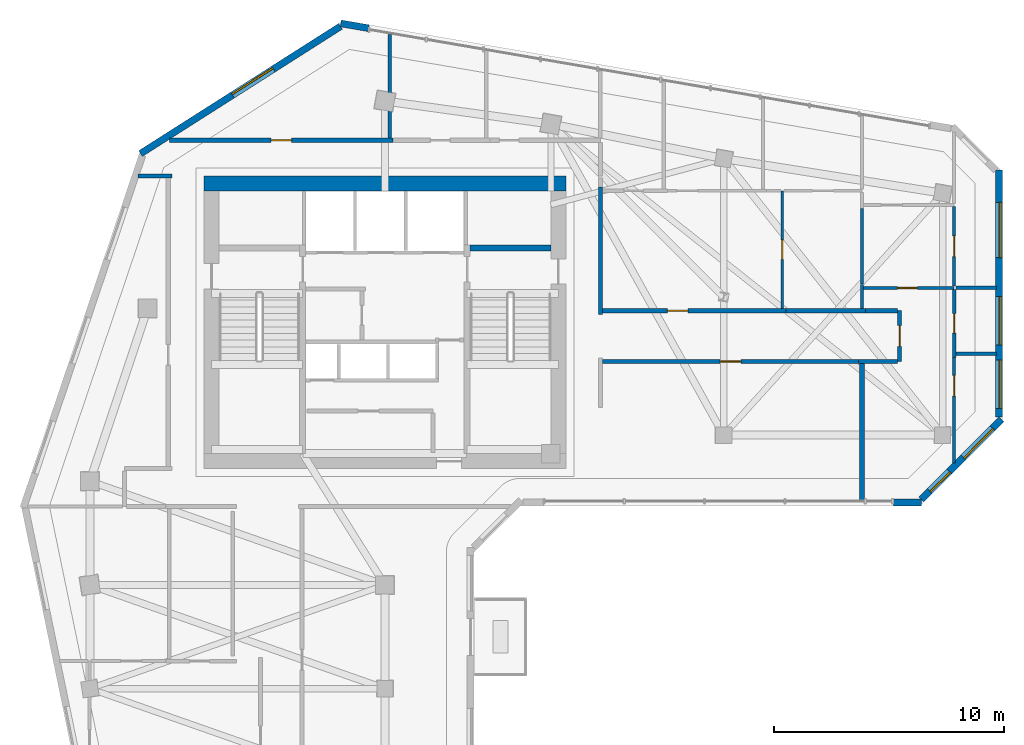
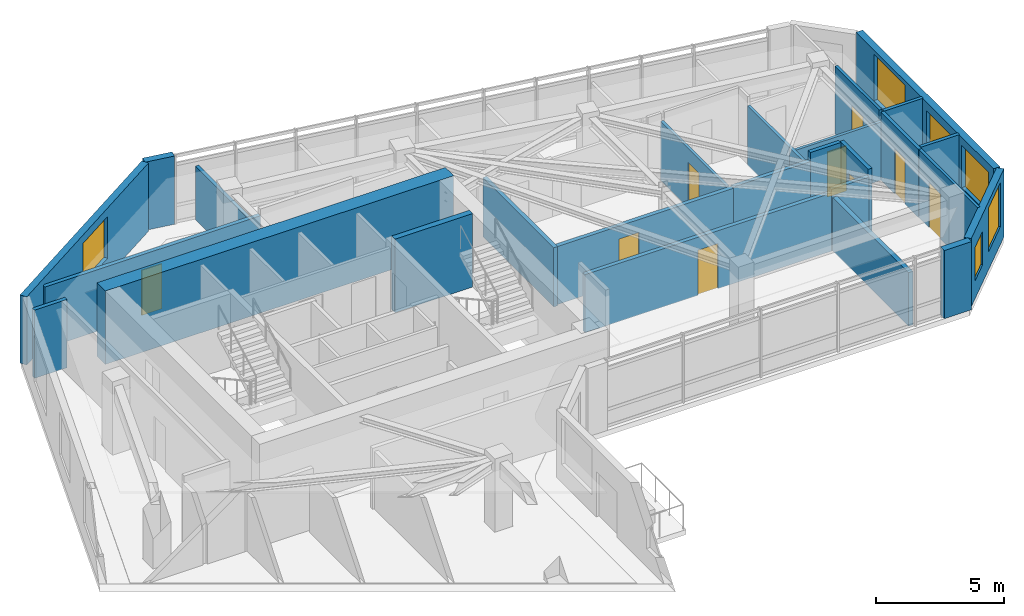
# One storey, part 6 of 10: 27 walls, 9 doors, 6 windows, 15 openings.
"""IFC4 building model written with IfcOpenShell, lengths in metres."""

from ifc_helpers import new_model, si_unit, direction, frame, frame_2d, origin, place, context, subcontext, project, spatial, rectangle, extrude, source, transform, mapped, material, layer, layer_set, type_object, element, fill, save


model = new_model("IFC4")

# Units and contexts
model_context = context("Model", 3, precision=1e-05, world=origin(), true_north=direction((0.0, 1.0)))
body_context = subcontext(model_context, "Body", "Model", "MODEL_VIEW")
ifc_project = project(units=[si_unit("LENGTHUNIT", "METRE"), si_unit("AREAUNIT", "SQUARE_METRE"), si_unit("VOLUMEUNIT", "CUBIC_METRE"), si_unit("PLANEANGLEUNIT", "RADIAN"), si_unit("MASSUNIT", "GRAM", prefix="KILO")], contexts=[model_context])

# Site, building, storey
site_placement = place(None, origin())
site = spatial("IfcSite", under=ifc_project, at=site_placement, CompositionType="ELEMENT")
building_placement = place(site_placement, origin())
building = spatial("IfcBuilding", under=site, at=building_placement, Name="Calvemar Wedge Station Tower", CompositionType="ELEMENT")
storey_placement = place(building_placement, frame((0.0, 0.0, 200.89990234375)))
storey = spatial("IfcBuildingStorey", under=building, at=storey_placement, Name="L50", CompositionType="ELEMENT", Elevation=200.89990234375)

# Walls
ifc_material_1 = material(Name="Concrete C50", Category="concrete")
ifc_layer_1 = layer(ifc_material_1, 0.260009765625)
ifc_layer_set_1 = layer_set([ifc_layer_1], Name="Concrete C50")
wall_type_1 = type_object("IfcWallType", Name="SW-CORE-260", PredefinedType="SHEAR", material=ifc_layer_set_1)
wall_1_placement = place(storey_placement, frame((27.5, 43.1298828125, 0.0), z_axis=(0.0, 0.0, 1.0), x_axis=(1.0, 0.0, 0.0)))
element("IfcWall", 1, at=wall_1_placement, inside=storey, type_object=wall_type_1, Name="Storey L50 Core Shear Wall STC2-N", PredefinedType="SHEAR", context=body_context, shape_type="SweptSolid", body=[
    extrude(rectangle(XDim=3.5, YDim=0.260009765625, at=frame_2d((1.75, 0.0))), origin(), (0.0, 0.0, 1.0), 3.5),
])
ifc_material_2 = material(Name="Concrete C60", Category="concrete")
ifc_layer_2 = layer(ifc_material_2, 0.64990234375)
ifc_layer_set_2 = layer_set([ifc_layer_2], Name="Concrete C60")
wall_type_2 = type_object("IfcWallType", Name="SW-CORE-650", PredefinedType="SHEAR", material=ifc_layer_set_2)
wall_2_placement = place(storey_placement, frame((15.949951171875, 45.925048828125, 0.0), z_axis=(0.0, 0.0, 1.0), x_axis=(1.0, 0.0, 0.0)))
element("IfcWall", 2, at=wall_2_placement, inside=storey, type_object=wall_type_2, Name="Storey L50 Core Shear Wall N", PredefinedType="SHEAR", context=body_context, shape_type="SweptSolid", body=[
    extrude(rectangle(XDim=15.699951171875, YDim=0.64990234375, at=frame_2d((7.85009765625, 0.0))), origin(), (0.0, 0.0, 1.0), 3.5),
])
ifc_material_3 = material(Name="Double-stud fire-rated corridor partition")
ifc_layer_3 = layer(ifc_material_3, 0.179931640625)
ifc_layer_set_3 = layer_set([ifc_layer_3], Name="Double-stud fire-rated corridor partition")
wall_type_3 = type_object("IfcWallType", Name="W-CORR-180", PredefinedType="PARTITIONING", material=ifc_layer_set_3)
wall_3_placement = place(storey_placement, frame((14.56005859375, 46.25, 0.0), z_axis=(0.0, 0.0, 1.0), x_axis=(-1.0, 0.0, 0.0)))
element("IfcWall", 3, at=wall_3_placement, inside=storey, type_object=wall_type_3, Name="Storey L50 Interior Partition WL-L50-012", PredefinedType="PARTITIONING", context=body_context, shape_type="SweptSolid", body=[
    extrude(rectangle(XDim=1.46875, YDim=0.179931640625, at=frame_2d((0.734375, 0.0))), origin(), (0.0, 0.0, 1.0), 3.25),
])

# Wall, opening, door
wall_4_placement = place(storey_placement, frame((14.45263671875, 47.800048828125, 0.0), z_axis=(0.0, 0.0, 1.0), x_axis=(1.0, 0.0, 0.0)))
wall_4 = element("IfcWall", 4, at=wall_4_placement, inside=storey, type_object=wall_type_3, Name="Storey L50 Interior Partition WL-L50-013", PredefinedType="PARTITIONING", context=body_context, shape_type="SweptSolid", body=[
    extrude(rectangle(XDim=9.707275390625, YDim=0.179931640625, at=frame_2d((4.853515625, 0.0))), origin(), (0.0, 0.0, 1.0), 2.93408203125),
])
shared_shape_1 = source(origin(), body_context, "Body", "SweptSolid", [
    extrude(rectangle(XDim=0.89990234375, YDim=2.14990234375, at=frame_2d((0.449951171875, 1.074951171875))), frame((0.0, 0.10009765625, 0.0), z_axis=(0.0, -1.0, 0.0), x_axis=(1.0, 0.0, 0.0)), (0.0, 0.0, 1.0), 0.199951171875),
])
opening_1_placement = place(wall_4_placement, frame((4.40380859375, 0.0, 0.0)))
opening_1 = element("IfcOpeningElement", 5, at=opening_1_placement, cuts=wall_4, Name="Opening D-01", PredefinedType="OPENING", context=body_context, shape_type="MappedRepresentation", body=[
    mapped(shared_shape_1, transform((0.0, 0.0, 0.0), scale=1.0)),
])
ifc_material_4 = material(Name="Architectural hardwood acoustic swing door", Category="wood")
door_type_1 = type_object("IfcDoorType", Name="DR-INT-900", OperationType="NOTDEFINED", PredefinedType="DOOR", material=ifc_material_4)
shared_shape_2 = source(origin(), body_context, "Body", "SweptSolid", [
    extrude(rectangle(XDim=0.89990234375, YDim=2.14990234375, at=frame_2d((0.449951171875, 1.074951171875))), frame((0.0, 0.02490234375, 0.0), z_axis=(0.0, -1.0, 0.0), x_axis=(1.0, 0.0, 0.0)), (0.0, 0.0, 1.0), 0.050048828125),
])
door_1_placement = place(opening_1_placement, origin())
door_1 = element("IfcDoor", 6, at=door_1_placement, inside=storey, type_object=door_type_1, Name="L50 Private Dining Room Door", OperationType="SINGLE_SWING_RIGHT", OverallHeight=2.14990234375, OverallWidth=0.89990234375, PredefinedType="DOOR", context=body_context, shape_type="MappedRepresentation", body=[
    mapped(shared_shape_2, transform((0.0, 0.0, 0.0), scale=1.0)),
])
fill(opening_1, door_1)

# Wall
wall_5_placement = place(storey_placement, frame((33.14990234375, 45.76611328125, 0.0), z_axis=(0.0, 0.0, 1.0), x_axis=(0.0, -1.0, 0.0)))
element("IfcWall", 7, at=wall_5_placement, inside=storey, type_object=wall_type_3, Name="Storey L50 Interior Partition WL-L50-017", PredefinedType="PARTITIONING", context=body_context, shape_type="SweptSolid", body=[
    extrude(rectangle(XDim=5.526123046875, YDim=0.179931640625, at=frame_2d((2.76318359375, 0.0))), origin(), (0.0, 0.0, 1.0), 2.822021484375),
])

# Wall, opening, door
wall_6_placement = place(storey_placement, frame((33.243896484375, 40.39990234375, 0.0), z_axis=(0.0, 0.0, 1.0), x_axis=(1.0, 0.0, 0.0)))
wall_6 = element("IfcWall", 8, at=wall_6_placement, inside=storey, type_object=wall_type_3, Name="Storey L50 Interior Partition WL-L50-024", PredefinedType="PARTITIONING", context=body_context, shape_type="SweptSolid", body=[
    extrude(rectangle(XDim=7.9580078125, YDim=0.179931640625, at=frame_2d((3.97900390625, 0.0))), origin(), (0.0, 0.0, 1.0), 2.76611328125),
])
opening_2_placement = place(wall_6_placement, frame((2.806884765625, 0.0, 0.0)))
opening_2 = element("IfcOpeningElement", 9, at=opening_2_placement, cuts=wall_6, Name="Opening FD-60", PredefinedType="OPENING", context=body_context, shape_type="MappedRepresentation", body=[
    mapped(shared_shape_1, transform((0.0, 0.0, 0.0), scale=1.0)),
])
ifc_material_5 = material(Name="Fire-rated acoustic timber-core entrance door EI 60", Category="wood")
door_type_2 = type_object("IfcDoorType", Name="DR-FD60-900", OperationType="NOTDEFINED", PredefinedType="DOOR", material=ifc_material_5)
shared_shape_3 = source(origin(), body_context, "Body", "SweptSolid", [
    extrude(rectangle(XDim=0.89990234375, YDim=2.14990234375, at=frame_2d((0.449951171875, 1.074951171875))), frame((0.0, 0.02490234375, 0.0), z_axis=(0.0, -1.0, 0.0), x_axis=(1.0, 0.0, 0.0)), (0.0, 0.0, 1.0), 0.050048828125),
])
door_2_placement = place(opening_2_placement, origin())
door_2 = element("IfcDoor", 10, at=door_2_placement, inside=storey, type_object=door_type_2, Name="L50 Living Dining Door", OperationType="SINGLE_SWING_LEFT", OverallHeight=2.14990234375, OverallWidth=0.89990234375, PredefinedType="DOOR", context=body_context, shape_type="MappedRepresentation", body=[
    mapped(shared_shape_3, transform((0.0, 0.0, 0.0), scale=1.0)),
])
fill(opening_2, door_2)

# Wall
wall_7_placement = place(storey_placement, frame((41.2041015625, 40.39990234375, 0.0), z_axis=(0.0, 0.0, 1.0), x_axis=(1.0, 0.0, 0.0)))
element("IfcWall", 11, at=wall_7_placement, inside=storey, type_object=wall_type_3, Name="Storey L50 Interior Partition WL-L50-025", PredefinedType="PARTITIONING", context=body_context, shape_type="SweptSolid", body=[
    extrude(rectangle(XDim=3.455810546875, YDim=0.179931640625, at=frame_2d((1.72802734375, 0.0))), origin(), (0.0, 0.0, 1.0), 2.822021484375),
])

# Wall, opening, door
wall_8_placement = place(storey_placement, frame((46.135009765625, 40.39990234375, 0.0), z_axis=(0.0, 0.0, 1.0), x_axis=(0.0, -1.0, 0.0)))
wall_8 = element("IfcWall", 12, at=wall_8_placement, inside=storey, type_object=wall_type_3, Name="Storey L50 Interior Partition WL-L50-026", PredefinedType="PARTITIONING", context=body_context, shape_type="SweptSolid", body=[
    extrude(rectangle(XDim=2.199951171875, YDim=0.179931640625, at=frame_2d((1.10009765625, 0.0))), origin(), (0.0, 0.0, 1.0), 3.25),
])
opening_3_placement = place(wall_8_placement, frame((0.64990234375, 0.0, 0.0)))
opening_3 = element("IfcOpeningElement", 13, at=opening_3_placement, cuts=wall_8, Name="Opening FD-60", PredefinedType="OPENING", context=body_context, shape_type="MappedRepresentation", body=[
    mapped(shared_shape_1, transform((0.0, 0.0, 0.0), scale=1.0)),
])
door_3_placement = place(opening_3_placement, origin())
door_3 = element("IfcDoor", 14, at=door_3_placement, inside=storey, type_object=door_type_2, Name="L50 Living Dining Door", OperationType="SINGLE_SWING_LEFT", OverallHeight=2.14990234375, OverallWidth=0.89990234375, PredefinedType="DOOR", context=body_context, shape_type="MappedRepresentation", body=[
    mapped(shared_shape_3, transform((0.0, 0.0, 0.0), scale=1.0)),
])
fill(opening_3, door_3)

# Walls
wall_9_placement = place(storey_placement, frame((44.662109375, 40.39990234375, 0.0), z_axis=(0.0, 0.0, 1.0), x_axis=(1.0, 0.0, 0.0)))
element("IfcWall", 15, at=wall_9_placement, inside=storey, type_object=wall_type_3, Name="Storey L50 Interior Partition WL-L50-027", PredefinedType="PARTITIONING", context=body_context, shape_type="SweptSolid", body=[
    extrude(rectangle(XDim=1.37890625, YDim=0.179931640625, at=frame_2d((0.689453125, 0.0))), origin(), (0.0, 0.0, 1.0), 3.25),
])
wall_10_placement = place(storey_placement, frame((46.041015625, 38.199951171875, 0.0), z_axis=(0.0, 0.0, 1.0), x_axis=(-1.0, 0.0, 0.0)))
element("IfcWall", 16, at=wall_10_placement, inside=storey, type_object=wall_type_3, Name="Storey L50 Interior Partition WL-L50-028", PredefinedType="PARTITIONING", context=body_context, shape_type="SweptSolid", body=[
    extrude(rectangle(XDim=1.700927734375, YDim=0.179931640625, at=frame_2d((0.8505859375, 0.0))), origin(), (0.0, 0.0, 1.0), 2.93408203125),
])

# Wall, opening, door
wall_11_placement = place(storey_placement, frame((44.337890625, 38.199951171875, 0.0), z_axis=(0.0, 0.0, 1.0), x_axis=(-1.0, 0.0, 0.0)))
wall_11 = element("IfcWall", 17, at=wall_11_placement, inside=storey, type_object=wall_type_3, Name="Storey L50 Interior Partition WL-L50-029", PredefinedType="PARTITIONING", context=body_context, shape_type="SweptSolid", body=[
    extrude(rectangle(XDim=11.093994140625, YDim=0.179931640625, at=frame_2d((5.546875, 0.0))), origin(), (0.0, 0.0, 1.0), 2.76611328125),
])
opening_4_placement = place(wall_11_placement, frame((5.096923828125, 0.0, 0.0)))
opening_4 = element("IfcOpeningElement", 18, at=opening_4_placement, cuts=wall_11, Name="Opening D-01", PredefinedType="OPENING", context=body_context, shape_type="MappedRepresentation", body=[
    mapped(shared_shape_1, transform((0.0, 0.0, 0.0), scale=1.0)),
])
door_4_placement = place(opening_4_placement, origin())
door_4 = element("IfcDoor", 19, at=door_4_placement, inside=storey, type_object=door_type_1, Name="L50 Meeting Room Door", OperationType="SINGLE_SWING_RIGHT", OverallHeight=2.14990234375, OverallWidth=0.89990234375, PredefinedType="DOOR", context=body_context, shape_type="MappedRepresentation", body=[
    mapped(shared_shape_2, transform((0.0, 0.0, 0.0), scale=1.0)),
])
fill(opening_4, door_4)

# Walls
ifc_material_6 = material(Name="Twin-stud fire-rated inter-tenancy wall")
ifc_layer_4 = layer(ifc_material_6, 0.199951171875)
ifc_layer_set_4 = layer_set([ifc_layer_4], Name="Twin-stud fire-rated inter-tenancy wall")
wall_type_4 = type_object("IfcWallType", Name="W-DEMISE-200", PredefinedType="PARTITIONING", material=ifc_layer_set_4)
wall_12_placement = place(storey_placement, frame((44.5, 32.18896484375, 0.0), z_axis=(0.0, 0.0, 1.0), x_axis=(0.0, 1.0, 0.0)))
element("IfcWall", 20, at=wall_12_placement, inside=storey, type_object=wall_type_4, Name="Storey L50 Interior Partition WL-L50-046", PredefinedType="PARTITIONING", context=body_context, shape_type="SweptSolid", body=[
    extrude(rectangle(XDim=5.9169921875, YDim=0.199951171875, at=frame_2d((2.95849609375, 0.0))), origin(), (0.0, 0.0, 1.0), 2.5419921875),
])
ifc_material_7 = material(Name="Precast concrete C45", Category="concrete")
ifc_layer_5 = layer(ifc_material_7, 0.300048828125)
ifc_layer_set_5 = layer_set([ifc_layer_5], Name="Precast concrete C45")
wall_type_5 = type_object("IfcWallType", Name="W-EXT-GFRC-300", PredefinedType="SOLIDWALL", material=ifc_layer_set_5)
wall_13_placement = place(storey_placement, frame((45.8603515625, 32.073974609375, 0.0), z_axis=(0.0, 0.0, 1.0), x_axis=(1.0, 0.0, 0.0)))
element("IfcWall", 21, at=wall_13_placement, inside=storey, type_object=wall_type_5, Name="Storey L50 Bronze GFRC Corner Pier 6B", PredefinedType="SOLIDWALL", context=body_context, shape_type="SweptSolid", body=[
    extrude(rectangle(XDim=1.2275390625, YDim=0.300048828125, at=frame_2d((0.61376953125, 0.0))), origin(), (0.0, 0.0, 1.0), 3.25),
])

# Wall, openings, windows
wall_14_placement = place(storey_placement, frame((47.075927734375, 32.2119140625, 0.0), z_axis=(0.0, 0.0, 1.0), x_axis=(0.707106781187, 0.707106781187, 0.0)))
wall_14 = element("IfcWall", 22, at=wall_14_placement, inside=storey, type_object=wall_type_5, Name="Storey L50 Bronze GFRC Exterior Wall 7", PredefinedType="SOLIDWALL", context=body_context, shape_type="SweptSolid", body=[
    extrude(rectangle(XDim=4.921875, YDim=0.300048828125, at=frame_2d((2.4609375, 0.0))), origin(), (0.0, 0.0, 1.0), 3.25),
])
shared_shape_4 = source(origin(), body_context, "Body", "SweptSolid", [
    extrude(rectangle(XDim=1.199951171875, YDim=1.60009765625, at=frame_2d((0.60009765625, 0.800048828125))), frame((0.0, 0.16015625, 0.0), z_axis=(0.0, -1.0, 0.0), x_axis=(1.0, 0.0, 0.0)), (0.0, 0.0, 1.0), 0.320068359375),
])
opening_5_placement = place(wall_14_placement, frame((0.514892578125, 0.0, 0.85009765625)))
opening_5 = element("IfcOpeningElement", 23, at=opening_5_placement, cuts=wall_14, Name="Opening W5", PredefinedType="OPENING", context=body_context, shape_type="MappedRepresentation", body=[
    mapped(shared_shape_4, transform((0.0, 0.0, 0.0), scale=1.0)),
])
shared_shape_5 = source(origin(), body_context, "Body", "SweptSolid", [
    extrude(rectangle(XDim=1.800048828125, YDim=2.10009765625, at=frame_2d((0.89990234375, 1.050048828125))), frame((0.0, 0.16015625, 0.0), z_axis=(0.0, -1.0, 0.0), x_axis=(1.0, 0.0, 0.0)), (0.0, 0.0, 1.0), 0.320068359375),
])
opening_6_placement = place(wall_14_placement, frame((2.574951171875, 0.0, 0.85009765625)))
opening_6 = element("IfcOpeningElement", 24, at=opening_6_placement, cuts=wall_14, Name="Opening W2", PredefinedType="OPENING", context=body_context, shape_type="MappedRepresentation", body=[
    mapped(shared_shape_5, transform((0.0, 0.0, 0.0), scale=1.0)),
])
ifc_material_8 = material(Name="Low-E laminated insulated glass", Category="glass")
window_type_1 = type_object("IfcWindowType", Name="WIN-EXT-2", PartitioningType="SINGLE_PANEL", PredefinedType="WINDOW", material=ifc_material_8)
shared_shape_6 = source(origin(), body_context, "Body", "SweptSolid", [
    extrude(rectangle(XDim=1.800048828125, YDim=2.10009765625, at=frame_2d((0.89990234375, 1.050048828125))), frame((0.0, -0.014892578125, 0.0), z_axis=(0.0, -1.0, 0.0), x_axis=(1.0, 0.0, 0.0)), (0.0, 0.0, 1.0), 0.06005859375),
])
window_1_placement = place(opening_6_placement, origin())
window_1 = element("IfcWindow", 25, at=window_1_placement, inside=storey, type_object=window_type_1, Name="Storey L50 Recessed Window 7.2", OverallHeight=2.10009765625, OverallWidth=1.800048828125, PartitioningType="SINGLE_PANEL", PredefinedType="WINDOW", context=body_context, shape_type="MappedRepresentation", body=[
    mapped(shared_shape_6, transform((0.0, 0.0, 0.0), scale=1.0)),
])
fill(opening_6, window_1)
window_type_2 = type_object("IfcWindowType", Name="WIN-EXT-5", PartitioningType="SINGLE_PANEL", PredefinedType="WINDOW", material=ifc_material_8)
shared_shape_7 = source(origin(), body_context, "Body", "SweptSolid", [
    extrude(rectangle(XDim=1.199951171875, YDim=1.60009765625, at=frame_2d((0.60009765625, 0.800048828125))), frame((0.0, -0.014892578125, 0.0), z_axis=(0.0, -1.0, 0.0), x_axis=(1.0, 0.0, 0.0)), (0.0, 0.0, 1.0), 0.06005859375),
])
window_2_placement = place(opening_5_placement, origin())
window_2 = element("IfcWindow", 26, at=window_2_placement, inside=storey, type_object=window_type_2, Name="Storey L50 Recessed Window 7.1", OverallHeight=1.60009765625, OverallWidth=1.199951171875, PartitioningType="SINGLE_PANEL", PredefinedType="WINDOW", context=body_context, shape_type="MappedRepresentation", body=[
    mapped(shared_shape_7, transform((0.0, 0.0, 0.0), scale=1.0)),
])
fill(opening_5, window_2)

wall_15_placement = place(storey_placement, frame((50.449951171875, 35.78125, 0.0), z_axis=(0.0, 0.0, 1.0), x_axis=(0.0, 1.0, 0.0)))
wall_15 = element("IfcWall", 27, at=wall_15_placement, inside=storey, type_object=wall_type_5, Name="Storey L50 Bronze GFRC Exterior Wall 8", PredefinedType="SOLIDWALL", context=body_context, shape_type="SweptSolid", body=[
    extrude(rectangle(XDim=10.730712890625, YDim=0.300048828125, at=frame_2d((5.365234375, 0.0))), origin(), (0.0, 0.0, 1.0), 3.25),
])
shared_shape_8 = source(origin(), body_context, "Body", "SweptSolid", [
    extrude(rectangle(XDim=2.10009765625, YDim=2.0, at=frame_2d((1.050048828125, 1.0))), frame((0.0, 0.16015625, 0.0), z_axis=(0.0, -1.0, 0.0), x_axis=(1.0, 0.0, 0.0)), (0.0, 0.0, 1.0), 0.320068359375),
])
opening_7_placement = place(wall_15_placement, frame((0.37890625, 0.0, 0.85009765625)))
opening_7 = element("IfcOpeningElement", 28, at=opening_7_placement, cuts=wall_15, Name="Opening W4", PredefinedType="OPENING", context=body_context, shape_type="MappedRepresentation", body=[
    mapped(shared_shape_8, transform((0.0, 0.0, 0.0), scale=1.0)),
])
opening_8_placement = place(wall_15_placement, frame((3.133056640625, 0.0, 0.85009765625)))
opening_8 = element("IfcOpeningElement", 29, at=opening_8_placement, cuts=wall_15, Name="Opening W4", PredefinedType="OPENING", context=body_context, shape_type="MappedRepresentation", body=[
    mapped(shared_shape_8, transform((0.0, 0.0, 0.0), scale=1.0)),
])
shared_shape_9 = source(origin(), body_context, "Body", "SweptSolid", [
    extrude(rectangle(XDim=2.39990234375, YDim=2.199951171875, at=frame_2d((1.199951171875, 1.10009765625))), frame((0.0, 0.16015625, 0.0), z_axis=(0.0, -1.0, 0.0), x_axis=(1.0, 0.0, 0.0)), (0.0, 0.0, 1.0), 0.320068359375),
])
opening_9_placement = place(wall_15_placement, frame((6.9189453125, 0.0, 0.85009765625)))
opening_9 = element("IfcOpeningElement", 30, at=opening_9_placement, cuts=wall_15, Name="Opening W1", PredefinedType="OPENING", context=body_context, shape_type="MappedRepresentation", body=[
    mapped(shared_shape_9, transform((0.0, 0.0, 0.0), scale=1.0)),
])
window_type_3 = type_object("IfcWindowType", Name="WIN-EXT-4", PartitioningType="SINGLE_PANEL", PredefinedType="WINDOW", material=ifc_material_8)
shared_shape_10 = source(origin(), body_context, "Body", "SweptSolid", [
    extrude(rectangle(XDim=2.10009765625, YDim=2.0, at=frame_2d((1.050048828125, 1.0))), frame((0.0, -0.014892578125, 0.0), z_axis=(0.0, -1.0, 0.0), x_axis=(1.0, 0.0, 0.0)), (0.0, 0.0, 1.0), 0.06005859375),
])
window_3_placement = place(opening_7_placement, origin())
window_3 = element("IfcWindow", 31, at=window_3_placement, inside=storey, type_object=window_type_3, Name="Storey L50 Recessed Window 8.1", OverallHeight=2.0, OverallWidth=2.10009765625, PartitioningType="SINGLE_PANEL", PredefinedType="WINDOW", context=body_context, shape_type="MappedRepresentation", body=[
    mapped(shared_shape_10, transform((0.0, 0.0, 0.0), scale=1.0)),
])
fill(opening_7, window_3)
window_4_placement = place(opening_8_placement, origin())
window_4 = element("IfcWindow", 32, at=window_4_placement, inside=storey, type_object=window_type_3, Name="Storey L50 Recessed Window 8.2", OverallHeight=2.0, OverallWidth=2.10009765625, PartitioningType="SINGLE_PANEL", PredefinedType="WINDOW", context=body_context, shape_type="MappedRepresentation", body=[
    mapped(shared_shape_10, transform((0.0, 0.0, 0.0), scale=1.0)),
])
fill(opening_8, window_4)
window_type_4 = type_object("IfcWindowType", Name="WIN-EXT-1", PartitioningType="SINGLE_PANEL", PredefinedType="WINDOW", material=ifc_material_8)
shared_shape_11 = source(origin(), body_context, "Body", "SweptSolid", [
    extrude(rectangle(XDim=2.39990234375, YDim=2.199951171875, at=frame_2d((1.199951171875, 1.10009765625))), frame((0.0, -0.014892578125, 0.0), z_axis=(0.0, -1.0, 0.0), x_axis=(1.0, 0.0, 0.0)), (0.0, 0.0, 1.0), 0.06005859375),
])
window_5_placement = place(opening_9_placement, origin())
window_5 = element("IfcWindow", 33, at=window_5_placement, inside=storey, type_object=window_type_4, Name="Storey L50 Recessed Window 8.3", OverallHeight=2.199951171875, OverallWidth=2.39990234375, PartitioningType="SINGLE_PANEL", PredefinedType="WINDOW", context=body_context, shape_type="MappedRepresentation", body=[
    mapped(shared_shape_11, transform((0.0, 0.0, 0.0), scale=1.0)),
])
fill(opening_9, window_5)

# Wall
wall_16_placement = place(storey_placement, frame((23.093505859375, 52.65966796875, 0.0), z_axis=(0.0, 0.0, 1.0), x_axis=(-0.985503719785, 0.169653818966, 0.0)))
element("IfcWall", 34, at=wall_16_placement, inside=storey, type_object=wall_type_5, Name="Storey L50 Bronze GFRC Corner Pier 10B", PredefinedType="SOLIDWALL", context=body_context, shape_type="SweptSolid", body=[
    extrude(rectangle(XDim=1.2275390625, YDim=0.300048828125, at=frame_2d((0.61376953125, 0.0))), origin(), (0.0, 0.0, 1.0), 3.25),
])

# Wall, opening, window
wall_17_placement = place(storey_placement, frame((21.87451171875, 52.7421875, 0.0), z_axis=(0.0, 0.0, 1.0), x_axis=(-0.843666375448, -0.536867811419, 0.0)))
wall_17 = element("IfcWall", 35, at=wall_17_placement, inside=storey, type_object=wall_type_5, Name="Storey L50 Bronze GFRC Exterior Wall 11", PredefinedType="SOLIDWALL", context=body_context, shape_type="SweptSolid", body=[
    extrude(rectangle(XDim=10.28369140625, YDim=0.300048828125, at=frame_2d((5.141845703125, 0.0))), origin(), (0.0, 0.0, 1.0), 3.25),
])
opening_10_placement = place(wall_17_placement, frame((3.45703125, 0.0, 0.85009765625)))
opening_10 = element("IfcOpeningElement", 36, at=opening_10_placement, cuts=wall_17, Name="Opening W4", PredefinedType="OPENING", context=body_context, shape_type="MappedRepresentation", body=[
    mapped(shared_shape_8, transform((0.0, 0.0, 0.0), scale=1.0)),
])
window_6_placement = place(opening_10_placement, origin())
window_6 = element("IfcWindow", 37, at=window_6_placement, inside=storey, type_object=window_type_3, Name="Storey L50 Recessed Window 11.1", OverallHeight=2.0, OverallWidth=2.10009765625, PartitioningType="SINGLE_PANEL", PredefinedType="WINDOW", context=body_context, shape_type="MappedRepresentation", body=[
    mapped(shared_shape_10, transform((0.0, 0.0, 0.0), scale=1.0)),
])
fill(opening_10, window_6)

# Wall, opening, door
ifc_material_9 = material(Name="Insulated acoustic gypsum stud partition")
ifc_layer_6 = layer(ifc_material_9, 0.125)
ifc_layer_set_6 = layer_set([ifc_layer_6], Name="Insulated acoustic gypsum stud partition")
wall_type_6 = type_object("IfcWallType", Name="W-PART-125", PredefinedType="PARTITIONING", material=ifc_layer_set_6)
wall_18_placement = place(storey_placement, frame((41.0419921875, 45.60595703125, 0.0), z_axis=(0.0, 0.0, 1.0), x_axis=(0.0, -1.0, 0.0)))
wall_18 = element("IfcWall", 38, at=wall_18_placement, inside=storey, type_object=wall_type_6, Name="Storey L50 Interior Partition WL-L50-030", PredefinedType="PARTITIONING", context=body_context, shape_type="SweptSolid", body=[
    extrude(rectangle(XDim=5.112060546875, YDim=0.125, at=frame_2d((2.55615234375, 0.0))), origin(), (0.0, 0.0, 1.0), 2.822021484375),
])
shared_shape_12 = source(origin(), body_context, "Body", "SweptSolid", [
    extrude(rectangle(XDim=0.85009765625, YDim=2.14990234375, at=frame_2d((0.425048828125, 1.074951171875))), frame((0.0, 0.072509765625, 0.0), z_axis=(0.0, -1.0, 0.0), x_axis=(1.0, 0.0, 0.0)), (0.0, 0.0, 1.0), 0.14501953125),
])
opening_11_placement = place(wall_18_placement, frame((2.131103515625, 0.0, 0.0)))
opening_11 = element("IfcOpeningElement", 39, at=opening_11_placement, cuts=wall_18, Name="Opening D-02", PredefinedType="OPENING", context=body_context, shape_type="MappedRepresentation", body=[
    mapped(shared_shape_12, transform((0.0, 0.0, 0.0), scale=1.0)),
])
ifc_material_10 = material(Name="Moisture-sealed bathroom hardwood swing door", Category="wood")
door_type_3 = type_object("IfcDoorType", Name="DR-WET-850", OperationType="NOTDEFINED", PredefinedType="DOOR", material=ifc_material_10)
shared_shape_13 = source(origin(), body_context, "Body", "SweptSolid", [
    extrude(rectangle(XDim=0.85009765625, YDim=2.14990234375, at=frame_2d((0.425048828125, 1.074951171875))), frame((0.0, 0.02490234375, 0.0), z_axis=(0.0, -1.0, 0.0), x_axis=(1.0, 0.0, 0.0)), (0.0, 0.0, 1.0), 0.050048828125),
])
door_5_placement = place(opening_11_placement, origin())
door_5 = element("IfcDoor", 40, at=door_5_placement, inside=storey, type_object=door_type_3, Name="L50 Kitchen Door", OperationType="SINGLE_SWING_RIGHT", OverallHeight=2.14990234375, OverallWidth=0.85009765625, PredefinedType="DOOR", context=body_context, shape_type="MappedRepresentation", body=[
    mapped(shared_shape_13, transform((0.0, 0.0, 0.0), scale=1.0)),
])
fill(opening_11, door_5)

# Walls
wall_19_placement = place(storey_placement, frame((44.5, 41.549072265625, 0.0), z_axis=(0.0, 0.0, 1.0), x_axis=(0.0, -1.0, 0.0)))
element("IfcWall", 41, at=wall_19_placement, inside=storey, type_object=wall_type_6, Name="Storey L50 Interior Partition WL-L50-036", PredefinedType="PARTITIONING", context=body_context, shape_type="SweptSolid", body=[
    extrude(rectangle(XDim=1.05517578125, YDim=0.125, at=frame_2d((0.527587890625, 0.0))), origin(), (0.0, 0.0, 1.0), 2.822021484375),
])
wall_20_placement = place(storey_placement, frame((44.5, 44.826904296875, 0.0), z_axis=(0.0, 0.0, 1.0), x_axis=(0.0, -1.0, 0.0)))
element("IfcWall", 42, at=wall_20_placement, inside=storey, type_object=wall_type_6, Name="Storey L50 Interior Partition WL-L50-037", PredefinedType="PARTITIONING", context=body_context, shape_type="SweptSolid", body=[
    extrude(rectangle(XDim=3.27587890625, YDim=0.125, at=frame_2d((1.637939453125, 0.0))), origin(), (0.0, 0.0, 1.0), 2.822021484375),
])

# Wall, opening, door
wall_21_placement = place(storey_placement, frame((44.56640625, 41.388916015625, 0.0), z_axis=(0.0, 0.0, 1.0), x_axis=(1.0, 0.0, 0.0)))
wall_21 = element("IfcWall", 43, at=wall_21_placement, inside=storey, type_object=wall_type_6, Name="Storey L50 Interior Partition WL-L50-043", PredefinedType="PARTITIONING", context=body_context, shape_type="SweptSolid", body=[
    extrude(rectangle(XDim=3.93359375, YDim=0.125, at=frame_2d((1.966796875, 0.0))), origin(), (0.0, 0.0, 1.0), 2.76611328125),
])
opening_12_placement = place(wall_21_placement, frame((1.481689453125, 0.0, 0.0)))
opening_12 = element("IfcOpeningElement", 44, at=opening_12_placement, cuts=wall_21, Name="Opening D-02", PredefinedType="OPENING", context=body_context, shape_type="MappedRepresentation", body=[
    mapped(shared_shape_12, transform((0.0, 0.0, 0.0), scale=1.0)),
])
door_6_placement = place(opening_12_placement, origin())
door_6 = element("IfcDoor", 45, at=door_6_placement, inside=storey, type_object=door_type_3, Name="L50 Kitchen Door", OperationType="SINGLE_SWING_RIGHT", OverallHeight=2.14990234375, OverallWidth=0.85009765625, PredefinedType="DOOR", context=body_context, shape_type="MappedRepresentation", body=[
    mapped(shared_shape_13, transform((0.0, 0.0, 0.0), scale=1.0)),
])
fill(opening_12, door_6)

wall_22_placement = place(storey_placement, frame((48.5, 38.376953125, 0.0), z_axis=(0.0, 0.0, 1.0), x_axis=(0.0, -1.0, 0.0)))
wall_22 = element("IfcWall", 46, at=wall_22_placement, inside=storey, type_object=wall_type_6, Name="Storey L50 Interior Partition WL-L50-045", PredefinedType="PARTITIONING", context=body_context, shape_type="SweptSolid", body=[
    extrude(rectangle(XDim=4.578125, YDim=0.125, at=frame_2d((2.2890625, 0.0))), origin(), (0.0, 0.0, 1.0), 3.25),
])
shared_shape_14 = source(origin(), body_context, "Body", "SweptSolid", [
    extrude(rectangle(XDim=0.89990234375, YDim=2.14990234375, at=frame_2d((0.449951171875, 1.074951171875))), frame((0.0, 0.072509765625, 0.0), z_axis=(0.0, -1.0, 0.0), x_axis=(1.0, 0.0, 0.0)), (0.0, 0.0, 1.0), 0.14501953125),
])
opening_13_placement = place(wall_22_placement, frame((0.77880859375, 0.0, 0.0)))
opening_13 = element("IfcOpeningElement", 47, at=opening_13_placement, cuts=wall_22, Name="Opening D-01", PredefinedType="OPENING", context=body_context, shape_type="MappedRepresentation", body=[
    mapped(shared_shape_14, transform((0.0, 0.0, 0.0), scale=1.0)),
])
door_7_placement = place(opening_13_placement, origin())
door_7 = element("IfcDoor", 48, at=door_7_placement, inside=storey, type_object=door_type_1, Name="L50 Master Bedroom Door", OperationType="SINGLE_SWING_LEFT", OverallHeight=2.14990234375, OverallWidth=0.89990234375, PredefinedType="DOOR", context=body_context, shape_type="MappedRepresentation", body=[
    mapped(shared_shape_2, transform((0.0, 0.0, 0.0), scale=1.0)),
])
fill(opening_13, door_7)

wall_23_placement = place(storey_placement, frame((48.5, 44.922607421875, 0.0), z_axis=(0.0, 0.0, 1.0), x_axis=(0.0, -1.0, 0.0)))
wall_23 = element("IfcWall", 49, at=wall_23_placement, inside=storey, type_object=wall_type_6, Name="Storey L50 Interior Partition WL-L50-047", PredefinedType="PARTITIONING", context=body_context, shape_type="SweptSolid", body=[
    extrude(rectangle(XDim=3.45458984375, YDim=0.125, at=frame_2d((1.727294921875, 0.0))), origin(), (0.0, 0.0, 1.0), 3.25),
])
opening_14_placement = place(wall_23_placement, frame((1.277099609375, 0.0, 0.0)))
opening_14 = element("IfcOpeningElement", 50, at=opening_14_placement, cuts=wall_23, Name="Opening D-01", PredefinedType="OPENING", context=body_context, shape_type="MappedRepresentation", body=[
    mapped(shared_shape_14, transform((0.0, 0.0, 0.0), scale=1.0)),
])
door_8_placement = place(opening_14_placement, origin())
door_8 = element("IfcDoor", 51, at=door_8_placement, inside=storey, type_object=door_type_1, Name="L50 Bedroom Door", OperationType="SINGLE_SWING_RIGHT", OverallHeight=2.14990234375, OverallWidth=0.89990234375, PredefinedType="DOOR", context=body_context, shape_type="MappedRepresentation", body=[
    mapped(shared_shape_2, transform((0.0, 0.0, 0.0), scale=1.0)),
])
fill(opening_14, door_8)

# Wall
ifc_material_11 = material(Name="Moisture-resistant acoustic bathroom partition")
ifc_layer_7 = layer(ifc_material_11, 0.14990234375)
ifc_layer_set_7 = layer_set([ifc_layer_7], Name="Moisture-resistant acoustic bathroom partition")
wall_type_7 = type_object("IfcWallType", Name="W-WET-150", PredefinedType="PARTITIONING", material=ifc_layer_set_7)
wall_24_placement = place(storey_placement, frame((24.0, 52.386962890625, 0.0), z_axis=(0.0, 0.0, 1.0), x_axis=(0.0, -1.0, 0.0)))
element("IfcWall", 52, at=wall_24_placement, inside=storey, type_object=wall_type_7, Name="Storey L50 Interior Partition WL-L50-021", PredefinedType="PARTITIONING", context=body_context, shape_type="SweptSolid", body=[
    extrude(rectangle(XDim=4.492919921875, YDim=0.14990234375, at=frame_2d((2.24658203125, 0.0))), origin(), (0.0, 0.0, 1.0), 2.5419921875),
])

# Wall, opening, door
wall_25_placement = place(storey_placement, frame((48.5, 41.322509765625, 0.0), z_axis=(0.0, 0.0, 1.0), x_axis=(0.0, -1.0, 0.0)))
wall_25 = element("IfcWall", 53, at=wall_25_placement, inside=storey, type_object=wall_type_7, Name="Storey L50 Interior Partition WL-L50-044", PredefinedType="PARTITIONING", context=body_context, shape_type="SweptSolid", body=[
    extrude(rectangle(XDim=2.943603515625, YDim=0.14990234375, at=frame_2d((1.4716796875, 0.0))), origin(), (0.0, 0.0, 1.0), 3.25),
])
shared_shape_15 = source(origin(), body_context, "Body", "SweptSolid", [
    extrude(rectangle(XDim=0.85009765625, YDim=2.14990234375, at=frame_2d((0.425048828125, 1.074951171875))), frame((0.0, 0.0849609375, 0.0), z_axis=(0.0, -1.0, 0.0), x_axis=(1.0, 0.0, 0.0)), (0.0, 0.0, 1.0), 0.169921875),
])
opening_15_placement = place(wall_25_placement, frame((1.046875, 0.0, 0.0)))
opening_15 = element("IfcOpeningElement", 54, at=opening_15_placement, cuts=wall_25, Name="Opening D-02", PredefinedType="OPENING", context=body_context, shape_type="MappedRepresentation", body=[
    mapped(shared_shape_15, transform((0.0, 0.0, 0.0), scale=1.0)),
])
door_9_placement = place(opening_15_placement, origin())
door_9 = element("IfcDoor", 55, at=door_9_placement, inside=storey, type_object=door_type_3, Name="L50 Bathroom Door", OperationType="SINGLE_SWING_LEFT", OverallHeight=2.14990234375, OverallWidth=0.85009765625, PredefinedType="DOOR", context=body_context, shape_type="MappedRepresentation", body=[
    mapped(shared_shape_13, transform((0.0, 0.0, 0.0), scale=1.0)),
])
fill(opening_15, door_9)

# Walls
for number, where, z_axis, x_axis, name in (
    (56, (48.5791015625, 41.388916015625, 0.0), (0.0, 0.0, 1.0), (1.0, 0.0, 0.0), "Storey L50 Interior Partition WL-L50-048"),
    (57, (50.3349609375, 38.5390625, 0.0), (0.0, 0.0, 1.0), (-1.0, 0.0, 0.0), "Storey L50 Interior Partition WL-L50-049"),
):
    element("IfcWall", number, at=place(storey_placement, frame(where, z_axis=z_axis, x_axis=x_axis)), inside=storey, type_object=wall_type_7, Name=name, PredefinedType="PARTITIONING", context=body_context, shape_type="SweptSolid", body=[
        extrude(rectangle(XDim=1.755859375, YDim=0.14990234375, at=frame_2d((0.8779296875, 0.0))), origin(), (0.0, 0.0, 1.0), 3.25),
    ])

save(model, "model.ifc")
